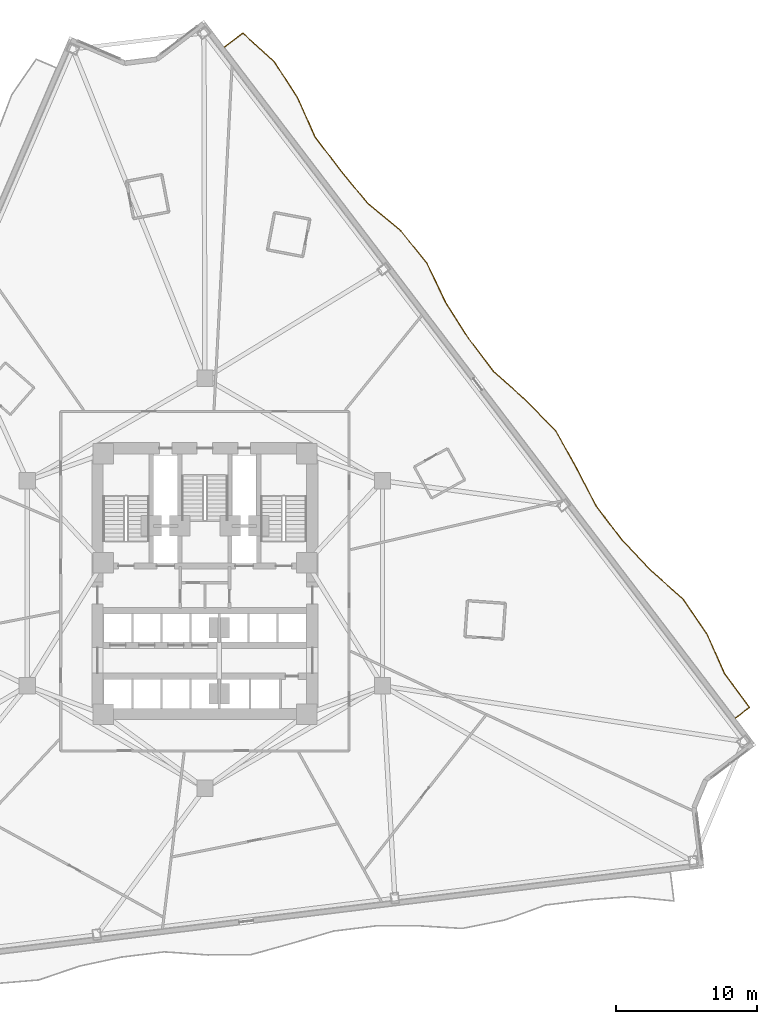
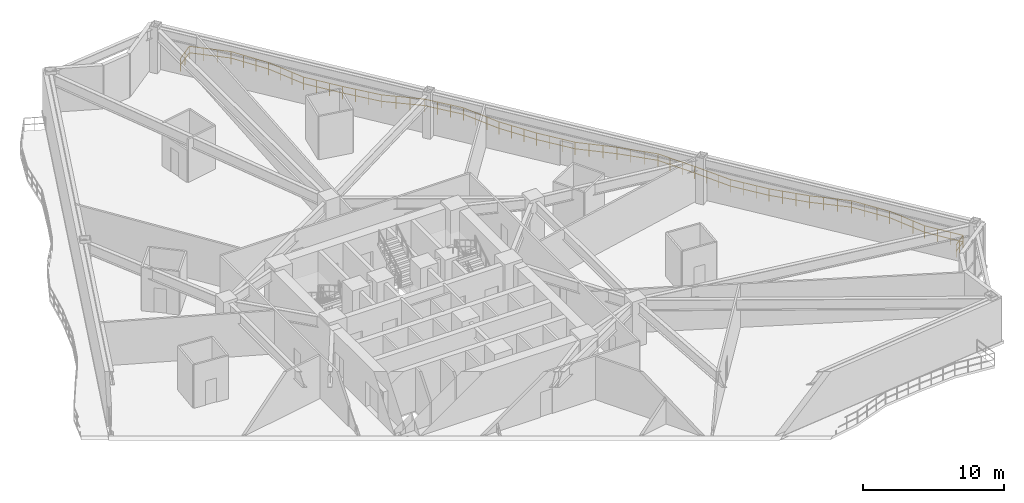
# One storey, part 17 of 17: 1 railing.
"""IFC4 building model written with IfcOpenShell, lengths in metres."""

import ifcopenshell
import ifcopenshell.guid

model = None  # the IFC model being written
_history = None  # IfcOwnerHistory: only IFC2X3 demands one
_inside = {}  # id of a spatial element -> (the spatial element, [elements in it])
_under = {}  # id of a project, library or spatial element -> (it, [spatial elements below it])
_declared = {}  # id of a project -> (the project, [libraries it declares])
_typed = {}  # id of a type object -> (the type object, [elements of that type])
_made_of = {}  # id of a material, layer set ... -> (it, [elements and type objects made of it])


def new_model(schema):
    """Start an empty IFC model of exactly this schema.

    Asked for "IFC4X3", IfcOpenShell would pick the latest addendum, in which some entities
    have other attributes; the version numbers below select the first issue.
    IFC2X3 requires an IfcOwnerHistory on every rooted entity: one is made here for all.
    """
    global model, _history
    if schema == "IFC4X3":
        model = ifcopenshell.file(schema_version=(4, 3, 0, 0))
    else:
        model = ifcopenshell.file(schema=schema)
    _inside.clear()
    _under.clear()
    _declared.clear()
    _typed.clear()
    _made_of.clear()
    _history = None
    if model.schema == "IFC2X3":
        org = make("IfcOrganization", Name="unknown")
        user = make(
            "IfcPersonAndOrganization",
            ThePerson=make("IfcPerson", FamilyName="unknown"),
            TheOrganization=org,
        )
        app = make(
            "IfcApplication",
            ApplicationDeveloper=org,
            Version="unknown",
            ApplicationFullName="unknown",
            ApplicationIdentifier="unknown",
        )
        _history = make(
            "IfcOwnerHistory",
            OwningUser=user,
            OwningApplication=app,
            ChangeAction="ADDED",
            CreationDate=0,
        )
    return model


def make(cls, **values):
    """One entity of the class cls with the attributes given. An attribute that is None is left unset."""
    return model.create_entity(
        cls, **{name: value for name, value in values.items() if value is not None}
    )


def rooted(cls, **values):
    """An entity with a GlobalId (a new one), such as an element, a storey or a relation."""
    return make(cls, GlobalId=ifcopenshell.guid.new(), OwnerHistory=_history, **values)


def si_unit(unit_type, name, prefix=None):
    """IfcSIUnit, for example si_unit("LENGTHUNIT", "METRE", prefix="MILLI")."""
    return make("IfcSIUnit", UnitType=unit_type, Prefix=prefix, Name=name)


def assignment(units):
    """IfcUnitAssignment: the units of a project."""
    return None if units is None else make("IfcUnitAssignment", Units=units)


def point(xyz):
    """IfcCartesianPoint."""
    return None if xyz is None else make("IfcCartesianPoint", Coordinates=xyz)


def direction(xyz):
    """IfcDirection."""
    return None if xyz is None else make("IfcDirection", DirectionRatios=xyz)


def frame(location, z_axis=None, x_axis=None):
    """IfcAxis2Placement3D, a coordinate frame: its origin and axes. An axis left out is left unset."""
    return make(
        "IfcAxis2Placement3D",
        Location=point(location),
        Axis=direction(z_axis),
        RefDirection=direction(x_axis),
    )


def frame_2d(location, x_axis=None):
    """IfcAxis2Placement2D, a coordinate frame in the plane: its origin and x axis."""
    return make(
        "IfcAxis2Placement2D", Location=point(location), RefDirection=direction(x_axis)
    )


def origin():
    """The frame at (0, 0, 0) with its axes left unset."""
    return frame((0.0, 0.0, 0.0))


def origin_2d():
    """The frame at (0, 0) in the plane with its x axis left unset."""
    return frame_2d((0.0, 0.0))


def place(relative_to, where):
    """IfcLocalPlacement: puts the frame where relative to a parent placement (None: the world)."""
    return make(
        "IfcLocalPlacement", PlacementRelTo=relative_to, RelativePlacement=where
    )


def context(
    kind, dimensions, precision=None, world=None, true_north=None, identifier=None
):
    """IfcGeometricRepresentationContext, for example the 3D "Model" context."""
    return make(
        "IfcGeometricRepresentationContext",
        ContextIdentifier=identifier,
        ContextType=kind,
        CoordinateSpaceDimension=dimensions,
        Precision=precision,
        WorldCoordinateSystem=world,
        TrueNorth=true_north,
    )


def subcontext(parent, identifier, kind, view, scale=None):
    """IfcGeometricRepresentationSubContext, for example "Body" below "Model"."""
    return make(
        "IfcGeometricRepresentationSubContext",
        ContextIdentifier=identifier,
        ContextType=kind,
        ParentContext=parent,
        TargetScale=scale,
        TargetView=view,
    )


def project(units=None, contexts=None):
    """IfcProject with its units and contexts."""
    return rooted(
        "IfcProject",
        Name="project",
        RepresentationContexts=contexts,
        UnitsInContext=assignment(units),
    )


def spatial(cls, under=None, at=None, **own):
    """A site, building, storey or space (cls), placed at a placement, below another one or the project."""
    s = rooted(cls, ObjectPlacement=at, **own)
    if under is not None:
        _under.setdefault(under.id(), (under, []))[1].append(s)
    return s


def profile(cls, at=None, kind="AREA", **sizes):
    """A parametric profile (cls). Its sizes go by their IFC names, for example OverallWidth=200.0."""
    return make(cls, ProfileType=kind, Position=at, **sizes)


def rectangle(**sizes):
    """IfcRectangleProfileDef."""
    return profile("IfcRectangleProfileDef", **sizes)


def extrude(swept, where, along, depth):
    """IfcExtrudedAreaSolid: the profile swept, set in the frame where, extruded along a direction by depth."""
    return make(
        "IfcExtrudedAreaSolid",
        SweptArea=swept,
        Position=where,
        ExtrudedDirection=direction(along),
        Depth=depth,
    )


def shape(context_of_items, identifier, shape_type, items):
    """IfcShapeRepresentation: the items that make up one representation, for example the "Body"."""
    return make(
        "IfcShapeRepresentation",
        ContextOfItems=context_of_items,
        RepresentationIdentifier=identifier,
        RepresentationType=shape_type,
        Items=items,
    )


def material(Name=None, Category=None):
    """IfcMaterial."""
    return make("IfcMaterial", Name=Name, Category=Category)


def made_of(thing, what):
    """Note that an element or type object is made of a material, layer set ...; save() writes the relation."""
    if what is not None:
        _made_of.setdefault(what.id(), (what, []))[1].append(thing)
    return thing


def type_object(cls, material=None, **own):
    """A type object (cls), such as IfcWallType, which elements share."""
    return made_of(rooted(cls, **own), material)


def element(
    cls,
    number,
    at=None,
    inside=None,
    cuts=None,
    type_object=None,
    material=None,
    context=None,
    identifier="Body",
    shape_type=None,
    held_by="IfcProductDefinitionShape",
    body=None,
    shapes=None,
    **own,
):
    """One element of the class cls, such as IfcWall. Its Tag is "e" and its number.

    at: its placement. inside: the storey or other place that contains it. cuts: it is an
    opening in that element (IfcRelVoidsElement). A single representation is given by context,
    identifier, shape_type and body (its items); several are given by shapes. held_by: the class
    of the entity that holds the representations. save() writes the other relations.
    """
    e = rooted(cls, Tag="e%d" % number, ObjectPlacement=at, **own)
    if body is not None:
        shapes = [shape(context, identifier, shape_type, body)]
    if shapes is not None:
        e.Representation = make(held_by, Representations=shapes)
    if inside is not None:
        _inside.setdefault(inside.id(), (inside, []))[1].append(e)
    if cuts is not None:
        rooted(
            "IfcRelVoidsElement", RelatingBuildingElement=cuts, RelatedOpeningElement=e
        )
    if type_object is not None:
        _typed.setdefault(type_object.id(), (type_object, []))[1].append(e)
    return made_of(e, material)


def aggregate(whole, parts):
    """IfcRelAggregates: a whole, such as a stair, and the parts it consists of."""
    return rooted("IfcRelAggregates", RelatingObject=whole, RelatedObjects=parts)


def save(model, path):
    """Write the relations noted so far, then the file.

    IfcRelAggregates (storeys below a building ...), IfcRelContainedInSpatialStructure (elements
    in a storey), IfcRelDefinesByType, IfcRelAssociatesMaterial and IfcRelDeclares: one each for
    every whole, place, type object, material and project.
    """
    for whole, parts in _under.values():
        aggregate(whole, parts)
    for where, things in _inside.values():
        rooted(
            "IfcRelContainedInSpatialStructure",
            RelatedElements=things,
            RelatingStructure=where,
        )
    for kind, things in _typed.values():
        rooted("IfcRelDefinesByType", RelatedObjects=things, RelatingType=kind)
    for what, things in _made_of.values():
        rooted("IfcRelAssociatesMaterial", RelatedObjects=things, RelatingMaterial=what)
    for by, libraries in _declared.values():
        rooted("IfcRelDeclares", RelatingContext=by, RelatedDefinitions=libraries)
    model.write(path)


model = new_model("IFC4")

# Units and contexts
model_context = context("Model", 3, precision=1e-05, world=origin(), true_north=direction((0.0, 1.0)))
body_context = subcontext(model_context, "Body", "Model", "MODEL_VIEW")
ifc_project = project(units=[si_unit("LENGTHUNIT", "METRE"), si_unit("AREAUNIT", "SQUARE_METRE"), si_unit("VOLUMEUNIT", "CUBIC_METRE"), si_unit("PLANEANGLEUNIT", "RADIAN"), si_unit("MASSUNIT", "GRAM", prefix="KILO")], contexts=[model_context])

# Site, building, storey
site_placement = place(None, origin())
site = spatial("IfcSite", under=ifc_project, at=site_placement, CompositionType="ELEMENT")
building_placement = place(site_placement, origin())
building = spatial("IfcBuilding", under=site, at=building_placement, Name="Apsidion Concourse Tower", CompositionType="ELEMENT")
storey_placement = place(building_placement, frame((0.0, 0.0, 75.0)))
storey = spatial("IfcBuildingStorey", under=building, at=storey_placement, Name="L16", CompositionType="ELEMENT", Elevation=75.0)

# Railing
ifc_material = material(Name="Brushed stainless steel 316", Category="steel")
railing_type = type_object("IfcRailingType", Name="RL-BAL-1120", PredefinedType="BALUSTRADE", material=ifc_material)
railing_placement = place(storey_placement, frame((1.376708984375, 37.926513671875, 0.0)))
element("IfcRailing", 1, at=railing_placement, inside=storey, type_object=railing_type, Name="L16 Face 3 Rippling Balcony Balustrade", PredefinedType="BALUSTRADE", context=body_context, shape_type="SweptSolid", body=[
    extrude(rectangle(XDim=0.048095703125, YDim=0.048095703125, at=origin_2d()), frame((0.0, 0.0, 1.09619140625), z_axis=(0.795630237473, 0.605782572561, 0.0), x_axis=(-0.605782572561, 0.795630237473, 0.0)), (0.0, 0.0, 1.0), 1.636962890625),
    extrude(rectangle(XDim=0.048095703125, YDim=0.048095703125, at=origin_2d()), frame((0.0, 0.0, 0.5361328125), z_axis=(0.795630237473, 0.605782572561, 0.0), x_axis=(-0.605782572561, 0.795630237473, 0.0)), (0.0, 0.0, 1.0), 1.636962890625),
    extrude(rectangle(XDim=0.048095703125, YDim=0.048095703125, at=origin_2d()), frame((1.302490234375, 0.99169921875, 1.09619140625), z_axis=(0.737932550493, -0.674874470493, 0.0), x_axis=(0.674874470493, 0.737932550493, 0.0)), (0.0, 0.0, 1.0), 3.031494140625),
    extrude(rectangle(XDim=0.048095703125, YDim=0.048095703125, at=origin_2d()), frame((1.302490234375, 0.99169921875, 0.5361328125), z_axis=(0.737932550493, -0.674874470493, 0.0), x_axis=(0.674874470493, 0.737932550493, 0.0)), (0.0, 0.0, 1.0), 3.031494140625),
    extrude(rectangle(XDim=0.048095703125, YDim=0.048095703125, at=origin_2d()), frame((3.53955078125, -1.05419921875, 1.09619140625), z_axis=(0.543975274927, -0.839101245541, 0.0), x_axis=(0.839101245541, 0.543975274927, 0.0)), (0.0, 0.0, 1.0), 2.9912109375),
    extrude(rectangle(XDim=0.048095703125, YDim=0.048095703125, at=origin_2d()), frame((3.53955078125, -1.05419921875, 0.5361328125), z_axis=(0.543975274927, -0.839101245541, 0.0), x_axis=(0.839101245541, 0.543975274927, 0.0)), (0.0, 0.0, 1.0), 2.9912109375),
    extrude(rectangle(XDim=0.048095703125, YDim=0.048095703125, at=origin_2d()), frame((5.166748046875, -3.564208984375, 1.09619140625), z_axis=(0.407845384584, -0.913051007487, 0.0), x_axis=(0.913051007487, 0.407845384584, 0.0)), (0.0, 0.0, 1.0), 3.064208984375),
    extrude(rectangle(XDim=0.048095703125, YDim=0.048095703125, at=origin_2d()), frame((5.166748046875, -3.564208984375, 0.5361328125), z_axis=(0.407845384584, -0.913051007487, 0.0), x_axis=(0.913051007487, 0.407845384584, 0.0)), (0.0, 0.0, 1.0), 3.064208984375),
    extrude(rectangle(XDim=0.048095703125, YDim=0.048095703125, at=origin_2d()), frame((6.41650390625, -6.362060546875, 1.09619140625), z_axis=(0.605850845078, -0.795578251034, 0.0), x_axis=(0.795578251034, 0.605850845078, 0.0)), (0.0, 0.0, 1.0), 2.98291015625),
    extrude(rectangle(XDim=0.048095703125, YDim=0.048095703125, at=origin_2d()), frame((6.41650390625, -6.362060546875, 0.5361328125), z_axis=(0.605850845078, -0.795578251034, 0.0), x_axis=(0.795578251034, 0.605850845078, 0.0)), (0.0, 0.0, 1.0), 2.98291015625),
    extrude(rectangle(XDim=0.048095703125, YDim=0.048095703125, at=origin_2d()), frame((8.2236328125, -8.735107421875, 1.09619140625), z_axis=(0.635506551313, -0.772095475468, 0.0), x_axis=(0.772095475468, 0.635506551313, 0.0)), (0.0, 0.0, 1.0), 2.98486328125),
    extrude(rectangle(XDim=0.048095703125, YDim=0.048095703125, at=origin_2d()), frame((8.2236328125, -8.735107421875, 0.5361328125), z_axis=(0.635506551313, -0.772095475468, 0.0), x_axis=(0.772095475468, 0.635506551313, 0.0)), (0.0, 0.0, 1.0), 2.98486328125),
    extrude(rectangle(XDim=0.048095703125, YDim=0.048095703125, at=origin_2d()), frame((10.12060546875, -11.039794921875, 1.09619140625), z_axis=(0.76918132706, -0.639030583072, 0.0), x_axis=(0.639030583072, 0.76918132706, 0.0)), (0.0, 0.0, 1.0), 3.061279296875),
    extrude(rectangle(XDim=0.048095703125, YDim=0.048095703125, at=origin_2d()), frame((10.12060546875, -11.039794921875, 0.5361328125), z_axis=(0.76918132706, -0.639030583072, 0.0), x_axis=(0.639030583072, 0.76918132706, 0.0)), (0.0, 0.0, 1.0), 3.061279296875),
    extrude(rectangle(XDim=0.048095703125, YDim=0.048095703125, at=origin_2d()), frame((12.475341796875, -12.99609375, 1.09619140625), z_axis=(0.625861819572, -0.779933960539, 0.0), x_axis=(0.779933960539, 0.625861819572, 0.0)), (0.0, 0.0, 1.0), 2.98388671875),
    extrude(rectangle(XDim=0.048095703125, YDim=0.048095703125, at=origin_2d()), frame((12.475341796875, -12.99609375, 0.5361328125), z_axis=(0.625861819572, -0.779933960539, 0.0), x_axis=(0.779933960539, 0.625861819572, 0.0)), (0.0, 0.0, 1.0), 2.98388671875),
    extrude(rectangle(XDim=0.048095703125, YDim=0.048095703125, at=origin_2d()), frame((14.3427734375, -15.3232421875, 1.09619140625), z_axis=(0.428764393162, -0.903416346518, 0.0), x_axis=(0.903416346518, 0.428764393162, 0.0)), (0.0, 0.0, 1.0), 3.048583984375),
    extrude(rectangle(XDim=0.048095703125, YDim=0.048095703125, at=origin_2d()), frame((14.3427734375, -15.3232421875, 0.5361328125), z_axis=(0.428764393162, -0.903416346518, 0.0), x_axis=(0.903416346518, 0.428764393162, 0.0)), (0.0, 0.0, 1.0), 3.048583984375),
    extrude(rectangle(XDim=0.048095703125, YDim=0.048095703125, at=origin_2d()), frame((15.64990234375, -18.077392578125, 1.09619140625), z_axis=(0.537930637599, -0.842989103804, 0.0), x_axis=(0.842989103804, 0.537930637599, 0.0)), (0.0, 0.0, 1.0), 2.9931640625),
    extrude(rectangle(XDim=0.048095703125, YDim=0.048095703125, at=origin_2d()), frame((15.64990234375, -18.077392578125, 0.5361328125), z_axis=(0.537930637599, -0.842989103804, 0.0), x_axis=(0.842989103804, 0.537930637599, 0.0)), (0.0, 0.0, 1.0), 2.9931640625),
    extrude(rectangle(XDim=0.048095703125, YDim=0.048095703125, at=origin_2d()), frame((17.260009765625, -20.6005859375, 1.09619140625), z_axis=(0.605902647508, -0.795538799646, 0.0), x_axis=(0.795538799646, 0.605902647508, 0.0)), (0.0, 0.0, 1.0), 2.98291015625),
    extrude(rectangle(XDim=0.048095703125, YDim=0.048095703125, at=origin_2d()), frame((17.260009765625, -20.6005859375, 0.5361328125), z_axis=(0.605902647508, -0.795538799646, 0.0), x_axis=(0.795538799646, 0.605902647508, 0.0)), (0.0, 0.0, 1.0), 2.98291015625),
    extrude(rectangle(XDim=0.048095703125, YDim=0.048095703125, at=origin_2d()), frame((19.0673828125, -22.9736328125, 1.09619140625), z_axis=(0.747524522985, -0.664234211356, 0.0), x_axis=(0.664234211356, 0.747524522985, 0.0)), (0.0, 0.0, 1.0), 3.03955078125),
    extrude(rectangle(XDim=0.048095703125, YDim=0.048095703125, at=origin_2d()), frame((19.0673828125, -22.9736328125, 0.5361328125), z_axis=(0.747524522985, -0.664234211356, 0.0), x_axis=(0.664234211356, 0.747524522985, 0.0)), (0.0, 0.0, 1.0), 3.03955078125),
    extrude(rectangle(XDim=0.048095703125, YDim=0.048095703125, at=origin_2d()), frame((21.339599609375, -24.99267578125, 1.09619140625), z_axis=(0.697949142396, -0.716147327461, 0.0), x_axis=(0.716147327461, 0.697949142396, 0.0)), (0.0, 0.0, 1.0), 3.005126953125),
    extrude(rectangle(XDim=0.048095703125, YDim=0.048095703125, at=origin_2d()), frame((21.339599609375, -24.99267578125, 0.5361328125), z_axis=(0.697949142396, -0.716147327461, 0.0), x_axis=(0.716147327461, 0.697949142396, 0.0)), (0.0, 0.0, 1.0), 3.005126953125),
    extrude(rectangle(XDim=0.048095703125, YDim=0.048095703125, at=origin_2d()), frame((23.43701171875, -27.144775390625, 1.09619140625), z_axis=(0.486468104783, -0.8736983364, 0.0), x_axis=(0.8736983364, 0.486468104783, 0.0)), (0.0, 0.0, 1.0), 3.013671875),
    extrude(rectangle(XDim=0.048095703125, YDim=0.048095703125, at=origin_2d()), frame((23.43701171875, -27.144775390625, 0.5361328125), z_axis=(0.486468104783, -0.8736983364, 0.0), x_axis=(0.8736983364, 0.486468104783, 0.0)), (0.0, 0.0, 1.0), 3.013671875),
    extrude(rectangle(XDim=0.048095703125, YDim=0.048095703125, at=origin_2d()), frame((24.903076171875, -29.77783203125, 1.09619140625), z_axis=(0.460164175625, -0.887833842265, 0.0), x_axis=(0.887833842265, 0.460164175625, 0.0)), (0.0, 0.0, 1.0), 3.02783203125),
    extrude(rectangle(XDim=0.048095703125, YDim=0.048095703125, at=origin_2d()), frame((24.903076171875, -29.77783203125, 0.5361328125), z_axis=(0.460164175625, -0.887833842265, 0.0), x_axis=(0.887833842265, 0.460164175625, 0.0)), (0.0, 0.0, 1.0), 3.02783203125),
    extrude(rectangle(XDim=0.048095703125, YDim=0.048095703125, at=origin_2d()), frame((26.29638671875, -32.466064453125, 1.09619140625), z_axis=(0.605902647508, -0.795538799646, 0.0), x_axis=(0.795538799646, 0.605902647508, 0.0)), (0.0, 0.0, 1.0), 2.98291015625),
    extrude(rectangle(XDim=0.048095703125, YDim=0.048095703125, at=origin_2d()), frame((26.29638671875, -32.466064453125, 0.5361328125), z_axis=(0.605902647508, -0.795538799646, 0.0), x_axis=(0.795538799646, 0.605902647508, 0.0)), (0.0, 0.0, 1.0), 2.98291015625),
    extrude(rectangle(XDim=0.048095703125, YDim=0.048095703125, at=origin_2d()), frame((28.103759765625, -34.839111328125, 1.09619140625), z_axis=(0.686676108507, -0.726963494273, 0.0), x_axis=(0.726963494273, 0.686676108507, 0.0)), (0.0, 0.0, 1.0), 2.999755859375),
    extrude(rectangle(XDim=0.048095703125, YDim=0.048095703125, at=origin_2d()), frame((28.103759765625, -34.839111328125, 0.5361328125), z_axis=(0.686676108507, -0.726963494273, 0.0), x_axis=(0.726963494273, 0.686676108507, 0.0)), (0.0, 0.0, 1.0), 2.999755859375),
    extrude(rectangle(XDim=0.048095703125, YDim=0.048095703125, at=origin_2d()), frame((30.16357421875, -37.019775390625, 1.09619140625), z_axis=(0.748307984593, -0.663351460535, 0.0), x_axis=(0.663351460535, 0.748307984593, 0.0)), (0.0, 0.0, 1.0), 3.040283203125),
    extrude(rectangle(XDim=0.048095703125, YDim=0.048095703125, at=origin_2d()), frame((30.16357421875, -37.019775390625, 0.5361328125), z_axis=(0.748307984593, -0.663351460535, 0.0), x_axis=(0.663351460535, 0.748307984593, 0.0)), (0.0, 0.0, 1.0), 3.040283203125),
    extrude(rectangle(XDim=0.048095703125, YDim=0.048095703125, at=origin_2d()), frame((32.438720703125, -39.03662109375, 1.09619140625), z_axis=(0.564563770298, -0.825389453087, 0.0), x_axis=(0.825389453087, 0.564563770298, 0.0)), (0.0, 0.0, 1.0), 2.98681640625),
    extrude(rectangle(XDim=0.048095703125, YDim=0.048095703125, at=origin_2d()), frame((32.438720703125, -39.03662109375, 0.5361328125), z_axis=(0.564563770298, -0.825389453087, 0.0), x_axis=(0.825389453087, 0.564563770298, 0.0)), (0.0, 0.0, 1.0), 2.98681640625),
    extrude(rectangle(XDim=0.048095703125, YDim=0.048095703125, at=origin_2d()), frame((34.125, -41.501953125, 1.09619140625), z_axis=(0.406360152568, -0.913712989075, 0.0), x_axis=(0.913712989075, 0.406360152568, 0.0)), (0.0, 0.0, 1.0), 3.065185546875),
    extrude(rectangle(XDim=0.048095703125, YDim=0.048095703125, at=origin_2d()), frame((34.125, -41.501953125, 0.5361328125), z_axis=(0.406360152568, -0.913712989075, 0.0), x_axis=(0.913712989075, 0.406360152568, 0.0)), (0.0, 0.0, 1.0), 3.065185546875),
    extrude(rectangle(XDim=0.048095703125, YDim=0.048095703125, at=origin_2d()), frame((35.37060546875, -44.302734375, 1.09619140625), z_axis=(0.593143206347, -0.805096973516, 0.0), x_axis=(0.805096973516, 0.593143206347, 0.0)), (0.0, 0.0, 1.0), 2.9833984375),
    extrude(rectangle(XDim=0.048095703125, YDim=0.048095703125, at=origin_2d()), frame((35.37060546875, -44.302734375, 0.5361328125), z_axis=(0.593143206347, -0.805096973516, 0.0), x_axis=(0.805096973516, 0.593143206347, 0.0)), (0.0, 0.0, 1.0), 2.9833984375),
    extrude(rectangle(XDim=0.048095703125, YDim=0.048095703125, at=origin_2d()), frame((37.14013671875, -46.70458984375, 1.09619140625), z_axis=(-0.795548282265, -0.605890196805, 0.0), x_axis=(0.605890196805, -0.795548282265, 0.0)), (0.0, 0.0, 1.0), 1.25),
    extrude(rectangle(XDim=0.048095703125, YDim=0.048095703125, at=origin_2d()), frame((37.14013671875, -46.70458984375, 0.5361328125), z_axis=(-0.795548282265, -0.605890196805, 0.0), x_axis=(0.605890196805, -0.795548282265, 0.0)), (0.0, 0.0, 1.0), 1.25),
    extrude(rectangle(XDim=0.0419921875, YDim=0.0419921875, at=origin_2d()), origin(), (0.0, 0.0, 1.0), 1.072021484375),
    extrude(rectangle(XDim=0.0419921875, YDim=0.0419921875, at=origin_2d()), frame((0.6513671875, 0.495849609375, 0.0)), (0.0, 0.0, 1.0), 1.072021484375),
    extrude(rectangle(XDim=0.0419921875, YDim=0.0419921875, at=origin_2d()), frame((1.302490234375, 0.99169921875, 0.0)), (0.0, 0.0, 1.0), 1.072021484375),
    extrude(rectangle(XDim=0.0419921875, YDim=0.0419921875, at=origin_2d()), frame((2.048095703125, 0.309814453125, 0.0)), (0.0, 0.0, 1.0), 1.072021484375),
    extrude(rectangle(XDim=0.0419921875, YDim=0.0419921875, at=origin_2d()), frame((2.7939453125, -0.372314453125, 0.0)), (0.0, 0.0, 1.0), 1.072021484375),
    extrude(rectangle(XDim=0.0419921875, YDim=0.0419921875, at=origin_2d()), frame((3.53955078125, -1.05419921875, 0.0)), (0.0, 0.0, 1.0), 1.072021484375),
    extrude(rectangle(XDim=0.0419921875, YDim=0.0419921875, at=origin_2d()), frame((4.08203125, -1.890869140625, 0.0)), (0.0, 0.0, 1.0), 1.072021484375),
    extrude(rectangle(XDim=0.0419921875, YDim=0.0419921875, at=origin_2d()), frame((4.624267578125, -2.7275390625, 0.0)), (0.0, 0.0, 1.0), 1.072021484375),
    extrude(rectangle(XDim=0.0419921875, YDim=0.0419921875, at=origin_2d()), frame((5.166748046875, -3.564208984375, 0.0)), (0.0, 0.0, 1.0), 1.072021484375),
    extrude(rectangle(XDim=0.0419921875, YDim=0.0419921875, at=origin_2d()), frame((5.583251953125, -4.496826171875, 0.0)), (0.0, 0.0, 1.0), 1.072021484375),
    extrude(rectangle(XDim=0.0419921875, YDim=0.0419921875, at=origin_2d()), frame((6.0, -5.429443359375, 0.0)), (0.0, 0.0, 1.0), 1.072021484375),
    extrude(rectangle(XDim=0.0419921875, YDim=0.0419921875, at=origin_2d()), frame((6.41650390625, -6.362060546875, 0.0)), (0.0, 0.0, 1.0), 1.072021484375),
    extrude(rectangle(XDim=0.0419921875, YDim=0.0419921875, at=origin_2d()), frame((7.018798828125, -7.153076171875, 0.0)), (0.0, 0.0, 1.0), 1.072021484375),
    extrude(rectangle(XDim=0.0419921875, YDim=0.0419921875, at=origin_2d()), frame((7.621337890625, -7.944091796875, 0.0)), (0.0, 0.0, 1.0), 1.072021484375),
    extrude(rectangle(XDim=0.0419921875, YDim=0.0419921875, at=origin_2d()), frame((8.2236328125, -8.735107421875, 0.0)), (0.0, 0.0, 1.0), 1.072021484375),
    extrude(rectangle(XDim=0.0419921875, YDim=0.0419921875, at=origin_2d()), frame((8.85595703125, -9.50341796875, 0.0)), (0.0, 0.0, 1.0), 1.072021484375),
    extrude(rectangle(XDim=0.0419921875, YDim=0.0419921875, at=origin_2d()), frame((9.48828125, -10.271484375, 0.0)), (0.0, 0.0, 1.0), 1.072021484375),
    extrude(rectangle(XDim=0.0419921875, YDim=0.0419921875, at=origin_2d()), frame((10.12060546875, -11.039794921875, 0.0)), (0.0, 0.0, 1.0), 1.072021484375),
    extrude(rectangle(XDim=0.0419921875, YDim=0.0419921875, at=origin_2d()), frame((10.905517578125, -11.69189453125, 0.0)), (0.0, 0.0, 1.0), 1.072021484375),
    extrude(rectangle(XDim=0.0419921875, YDim=0.0419921875, at=origin_2d()), frame((11.6904296875, -12.343994140625, 0.0)), (0.0, 0.0, 1.0), 1.072021484375),
    extrude(rectangle(XDim=0.0419921875, YDim=0.0419921875, at=origin_2d()), frame((12.475341796875, -12.99609375, 0.0)), (0.0, 0.0, 1.0), 1.072021484375),
    extrude(rectangle(XDim=0.0419921875, YDim=0.0419921875, at=origin_2d()), frame((13.097900390625, -13.771728515625, 0.0)), (0.0, 0.0, 1.0), 1.072021484375),
    extrude(rectangle(XDim=0.0419921875, YDim=0.0419921875, at=origin_2d()), frame((13.72021484375, -14.547607421875, 0.0)), (0.0, 0.0, 1.0), 1.072021484375),
    extrude(rectangle(XDim=0.0419921875, YDim=0.0419921875, at=origin_2d()), frame((14.3427734375, -15.3232421875, 0.0)), (0.0, 0.0, 1.0), 1.072021484375),
    extrude(rectangle(XDim=0.0419921875, YDim=0.0419921875, at=origin_2d()), frame((14.778564453125, -16.2412109375, 0.0)), (0.0, 0.0, 1.0), 1.072021484375),
    extrude(rectangle(XDim=0.0419921875, YDim=0.0419921875, at=origin_2d()), frame((15.214111328125, -17.159423828125, 0.0)), (0.0, 0.0, 1.0), 1.072021484375),
    extrude(rectangle(XDim=0.0419921875, YDim=0.0419921875, at=origin_2d()), frame((15.64990234375, -18.077392578125, 0.0)), (0.0, 0.0, 1.0), 1.072021484375),
    extrude(rectangle(XDim=0.0419921875, YDim=0.0419921875, at=origin_2d()), frame((16.1865234375, -18.91845703125, 0.0)), (0.0, 0.0, 1.0), 1.072021484375),
    extrude(rectangle(XDim=0.0419921875, YDim=0.0419921875, at=origin_2d()), frame((16.723388671875, -19.759521484375, 0.0)), (0.0, 0.0, 1.0), 1.072021484375),
    extrude(rectangle(XDim=0.0419921875, YDim=0.0419921875, at=origin_2d()), frame((17.260009765625, -20.6005859375, 0.0)), (0.0, 0.0, 1.0), 1.072021484375),
    extrude(rectangle(XDim=0.0419921875, YDim=0.0419921875, at=origin_2d()), frame((17.862548828125, -21.3916015625, 0.0)), (0.0, 0.0, 1.0), 1.072021484375),
    extrude(rectangle(XDim=0.0419921875, YDim=0.0419921875, at=origin_2d()), frame((18.46484375, -22.1826171875, 0.0)), (0.0, 0.0, 1.0), 1.072021484375),
    extrude(rectangle(XDim=0.0419921875, YDim=0.0419921875, at=origin_2d()), frame((19.0673828125, -22.9736328125, 0.0)), (0.0, 0.0, 1.0), 1.072021484375),
    extrude(rectangle(XDim=0.0419921875, YDim=0.0419921875, at=origin_2d()), frame((19.82470703125, -23.646728515625, 0.0)), (0.0, 0.0, 1.0), 1.072021484375),
    extrude(rectangle(XDim=0.0419921875, YDim=0.0419921875, at=origin_2d()), frame((20.582275390625, -24.319580078125, 0.0)), (0.0, 0.0, 1.0), 1.072021484375),
    extrude(rectangle(XDim=0.0419921875, YDim=0.0419921875, at=origin_2d()), frame((21.339599609375, -24.99267578125, 0.0)), (0.0, 0.0, 1.0), 1.072021484375),
    extrude(rectangle(XDim=0.0419921875, YDim=0.0419921875, at=origin_2d()), frame((22.038818359375, -25.7099609375, 0.0)), (0.0, 0.0, 1.0), 1.072021484375),
    extrude(rectangle(XDim=0.0419921875, YDim=0.0419921875, at=origin_2d()), frame((22.73779296875, -26.427490234375, 0.0)), (0.0, 0.0, 1.0), 1.072021484375),
    extrude(rectangle(XDim=0.0419921875, YDim=0.0419921875, at=origin_2d()), frame((23.43701171875, -27.144775390625, 0.0)), (0.0, 0.0, 1.0), 1.072021484375),
    extrude(rectangle(XDim=0.0419921875, YDim=0.0419921875, at=origin_2d()), frame((23.92578125, -28.0224609375, 0.0)), (0.0, 0.0, 1.0), 1.072021484375),
    extrude(rectangle(XDim=0.0419921875, YDim=0.0419921875, at=origin_2d()), frame((24.414306640625, -28.900146484375, 0.0)), (0.0, 0.0, 1.0), 1.072021484375),
    extrude(rectangle(XDim=0.0419921875, YDim=0.0419921875, at=origin_2d()), frame((24.903076171875, -29.77783203125, 0.0)), (0.0, 0.0, 1.0), 1.072021484375),
    extrude(rectangle(XDim=0.0419921875, YDim=0.0419921875, at=origin_2d()), frame((25.367431640625, -30.673828125, 0.0)), (0.0, 0.0, 1.0), 1.072021484375),
    extrude(rectangle(XDim=0.0419921875, YDim=0.0419921875, at=origin_2d()), frame((25.83203125, -31.570068359375, 0.0)), (0.0, 0.0, 1.0), 1.072021484375),
    extrude(rectangle(XDim=0.0419921875, YDim=0.0419921875, at=origin_2d()), frame((26.29638671875, -32.466064453125, 0.0)), (0.0, 0.0, 1.0), 1.072021484375),
    extrude(rectangle(XDim=0.0419921875, YDim=0.0419921875, at=origin_2d()), frame((26.89892578125, -33.257080078125, 0.0)), (0.0, 0.0, 1.0), 1.072021484375),
    extrude(rectangle(XDim=0.0419921875, YDim=0.0419921875, at=origin_2d()), frame((27.501220703125, -34.048095703125, 0.0)), (0.0, 0.0, 1.0), 1.072021484375),
    extrude(rectangle(XDim=0.0419921875, YDim=0.0419921875, at=origin_2d()), frame((28.103759765625, -34.839111328125, 0.0)), (0.0, 0.0, 1.0), 1.072021484375),
    extrude(rectangle(XDim=0.0419921875, YDim=0.0419921875, at=origin_2d()), frame((28.790283203125, -35.56591796875, 0.0)), (0.0, 0.0, 1.0), 1.072021484375),
    extrude(rectangle(XDim=0.0419921875, YDim=0.0419921875, at=origin_2d()), frame((29.47705078125, -36.29296875, 0.0)), (0.0, 0.0, 1.0), 1.072021484375),
    extrude(rectangle(XDim=0.0419921875, YDim=0.0419921875, at=origin_2d()), frame((30.16357421875, -37.019775390625, 0.0)), (0.0, 0.0, 1.0), 1.072021484375),
    extrude(rectangle(XDim=0.0419921875, YDim=0.0419921875, at=origin_2d()), frame((30.921875, -37.692138671875, 0.0)), (0.0, 0.0, 1.0), 1.072021484375),
    extrude(rectangle(XDim=0.0419921875, YDim=0.0419921875, at=origin_2d()), frame((31.680419921875, -38.3642578125, 0.0)), (0.0, 0.0, 1.0), 1.072021484375),
    extrude(rectangle(XDim=0.0419921875, YDim=0.0419921875, at=origin_2d()), frame((32.438720703125, -39.03662109375, 0.0)), (0.0, 0.0, 1.0), 1.072021484375),
    extrude(rectangle(XDim=0.0419921875, YDim=0.0419921875, at=origin_2d()), frame((33.000732421875, -39.8583984375, 0.0)), (0.0, 0.0, 1.0), 1.072021484375),
    extrude(rectangle(XDim=0.0419921875, YDim=0.0419921875, at=origin_2d()), frame((33.56298828125, -40.68017578125, 0.0)), (0.0, 0.0, 1.0), 1.072021484375),
    extrude(rectangle(XDim=0.0419921875, YDim=0.0419921875, at=origin_2d()), frame((34.125, -41.501953125, 0.0)), (0.0, 0.0, 1.0), 1.072021484375),
    extrude(rectangle(XDim=0.0419921875, YDim=0.0419921875, at=origin_2d()), frame((34.540283203125, -42.435546875, 0.0)), (0.0, 0.0, 1.0), 1.072021484375),
    extrude(rectangle(XDim=0.0419921875, YDim=0.0419921875, at=origin_2d()), frame((34.955322265625, -43.369140625, 0.0)), (0.0, 0.0, 1.0), 1.072021484375),
    extrude(rectangle(XDim=0.0419921875, YDim=0.0419921875, at=origin_2d()), frame((35.37060546875, -44.302734375, 0.0)), (0.0, 0.0, 1.0), 1.072021484375),
    extrude(rectangle(XDim=0.0419921875, YDim=0.0419921875, at=origin_2d()), frame((35.96044921875, -45.103271484375, 0.0)), (0.0, 0.0, 1.0), 1.072021484375),
    extrude(rectangle(XDim=0.0419921875, YDim=0.0419921875, at=origin_2d()), frame((36.55029296875, -45.904052734375, 0.0)), (0.0, 0.0, 1.0), 1.072021484375),
    extrude(rectangle(XDim=0.0419921875, YDim=0.0419921875, at=origin_2d()), frame((37.14013671875, -46.70458984375, 0.0)), (0.0, 0.0, 1.0), 1.072021484375),
    extrude(rectangle(XDim=0.0419921875, YDim=0.0419921875, at=origin_2d()), frame((36.64306640625, -47.083251953125, 0.0)), (0.0, 0.0, 1.0), 1.072021484375),
    extrude(rectangle(XDim=0.0419921875, YDim=0.0419921875, at=origin_2d()), frame((36.145751953125, -47.4619140625, 0.0)), (0.0, 0.0, 1.0), 1.072021484375),
])

save(model, "model.ifc")
